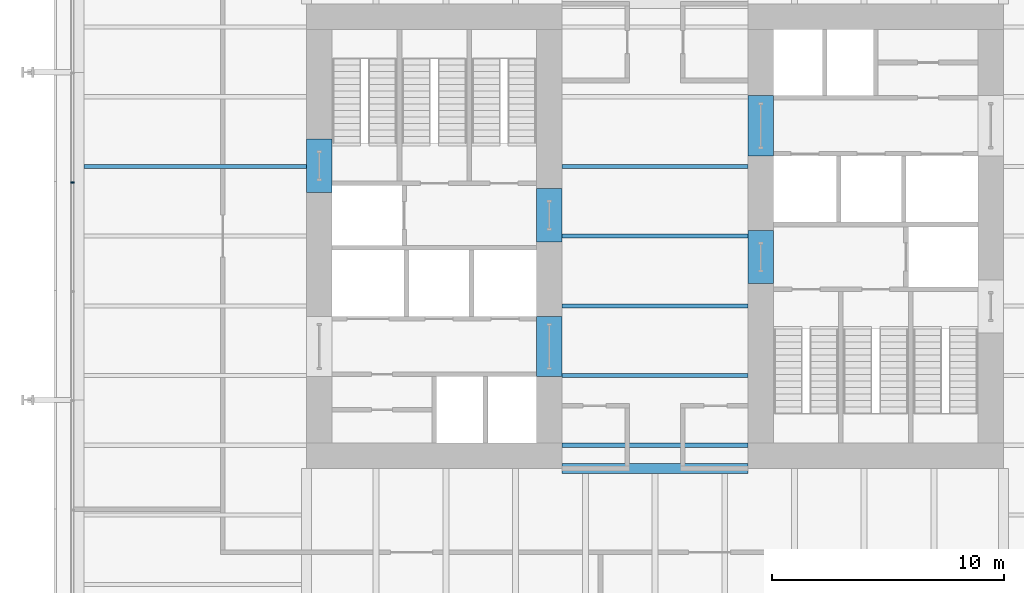
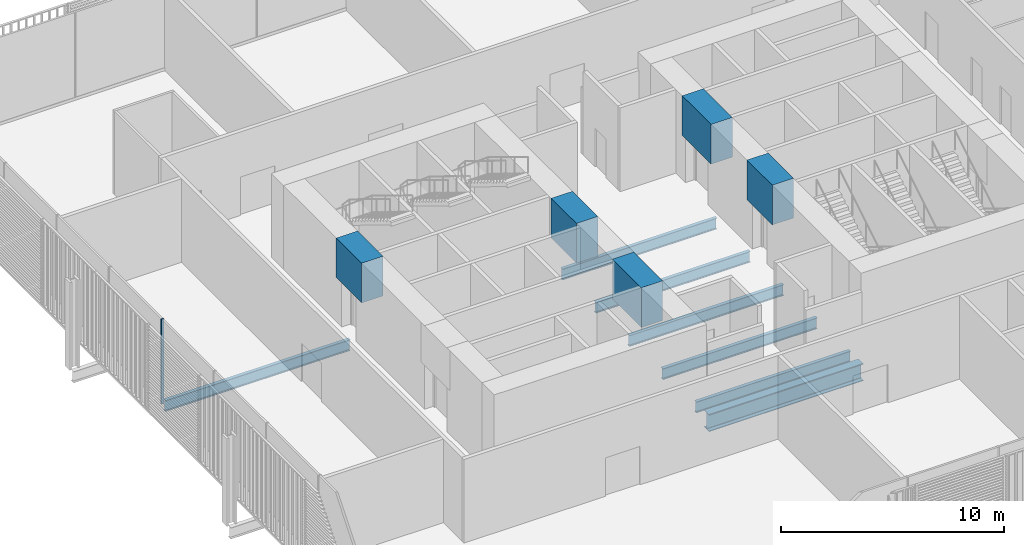
# One storey, part 7 of 22: 12 beams, 1 member, 1 element without a shape of its own.
"""IFC4 building model written with IfcOpenShell, lengths in metres."""

from ifc_helpers import new_model, si_unit, direction, frame, origin, origin_2d, place, context, subcontext, project, spatial, rectangle, i_section, extrude, material, layer, layer_set, material_profile, profile_set, type_object, element, aggregate, save


model = new_model("IFC4")

# Units and contexts
model_context = context("Model", 3, precision=1e-05, world=origin(), true_north=direction((0.0, 1.0)))
body_context = subcontext(model_context, "Body", "Model", "MODEL_VIEW")
ifc_project = project(units=[si_unit("LENGTHUNIT", "METRE"), si_unit("AREAUNIT", "SQUARE_METRE"), si_unit("VOLUMEUNIT", "CUBIC_METRE"), si_unit("PLANEANGLEUNIT", "RADIAN"), si_unit("MASSUNIT", "GRAM", prefix="KILO")], contexts=[model_context])

# Site, building, storey
site_placement = place(None, origin())
site = spatial("IfcSite", under=ifc_project, at=site_placement, CompositionType="ELEMENT")
building_placement = place(site_placement, origin())
building = spatial("IfcBuilding", under=site, at=building_placement, Name="Millrace Tower", CompositionType="ELEMENT")
storey_placement = place(building_placement, frame((0.0, 0.0, 40.10009765625)))
storey = spatial("IfcBuildingStorey", under=building, at=storey_placement, Name="L09", CompositionType="ELEMENT", Elevation=40.10009765625)

# Curtain wall, member
ifc_material_1 = material(Name="Aluminium and glass", Category="aluminium")
ifc_layer = layer(ifc_material_1, 0.14990234375)
ifc_layer_set = layer_set([ifc_layer], Name="Aluminium and glass")
curtain_wall_type = type_object("IfcCurtainWallType", Name="CW-2 data hall insulated curtain wall", PredefinedType="NOTDEFINED", material=ifc_layer_set)
curtain_wall_placement = place(storey_placement, origin())
curtain_wall = element("IfcCurtainWall", 1, at=curtain_wall_placement, inside=storey, type_object=curtain_wall_type, Name="Curtain wall A-F08 L09", PredefinedType="NOTDEFINED")
ifc_material_2 = material(Name="Aluminium", Category="aluminium")
ifc_material_profile_1 = material_profile(ifc_material_2, rectangle(XDim=0.06494140625, YDim=0.14990234375, at=origin_2d()))
ifc_profile_set_1 = profile_set([ifc_material_profile_1], Name="Aluminium")
member_type = type_object("IfcMemberType", Name="CW-2 data hall insulated curtain wall mullion", PredefinedType="MULLION", material=ifc_profile_set_1)
member_placement = place(storey_placement, frame((-25.074951171875, 2.3173828125, 0.159912109375), z_axis=(0.0, 0.0, 1.0), x_axis=(0.0, -1.0, 0.0)))
member = element("IfcMember", 2, at=member_placement, type_object=member_type, Name="CW2 mullion A-F08.5", PredefinedType="MULLION", context=body_context, shape_type="SweptSolid", body=[
    extrude(rectangle(XDim=0.06494140625, YDim=0.14990234375, at=origin_2d()), origin(), (0.0, 0.0, 1.0), 4.639892578125),
])
aggregate(curtain_wall, [member])

# Beams
ifc_material_3 = material(Name="Concrete C80", Category="concrete")
ifc_material_profile_2 = material_profile(ifc_material_3, rectangle(XDim=1.10009765625, YDim=2.175048828125, at=origin_2d()))
ifc_profile_set_2 = profile_set([ifc_material_profile_2], Name="Concrete C80")
beam_type_1 = type_object("IfcBeamType", Name="Coupling beam 1100 x 2175 Concrete C80, 1300 opening", PredefinedType="BEAM", material=ifc_profile_set_2)
beam_1_placement = place(storey_placement, frame((-14.449951171875, 1.88818359375, 3.4873046875), z_axis=(0.0, 1.0, 0.0), x_axis=(-1.0, 0.0, 0.0)))
element("IfcBeam", 3, at=beam_1_placement, inside=storey, type_object=beam_type_1, Name="Coupling beam W L09", PredefinedType="BEAM", context=body_context, shape_type="SweptSolid", body=[
    extrude(rectangle(XDim=1.10009765625, YDim=2.175048828125, at=origin_2d()), origin(), (0.0, 0.0, 1.0), 2.28369140625),
])
for number, where, z_axis, x_axis, name in (
    (4, (-4.550048828125, -0.241943359375, 3.4873046875), (0.0, 1.0, 0.0), (-1.0, 0.0, 0.0), "Coupling beam W L09"),
    (5, (4.550048828125, 0.241943359375, 3.4873046875), (0.0, -1.0, 0.0), (1.0, 0.0, 0.0), "Coupling beam E L09"),
):
    element("IfcBeam", number, at=place(storey_placement, frame(where, z_axis=z_axis, x_axis=x_axis)), inside=storey, type_object=beam_type_1, Name=name, PredefinedType="BEAM", context=body_context, shape_type="SweptSolid", body=[
        extrude(rectangle(XDim=1.10009765625, YDim=2.175048828125, at=origin_2d()), origin(), (0.0, 0.0, 1.0), 2.283935546875),
    ])
ifc_material_4 = material(Name="Concrete C80", Category="concrete")
ifc_material_profile_3 = material_profile(ifc_material_4, rectangle(XDim=1.10009765625, YDim=2.175048828125, at=origin_2d()))
ifc_profile_set_3 = profile_set([ifc_material_profile_3], Name="Concrete C80")
beam_type_2 = type_object("IfcBeamType", Name="Coupling beam 1100 x 2175 Concrete C80, 2000 opening", PredefinedType="BEAM", material=ifc_profile_set_3)
for number, where, z_axis, x_axis, name in (
    (6, (-4.550048828125, -6.050048828125, 3.4873046875), (0.0, 1.0, 0.0), (-1.0, 0.0, 0.0), "Coupling beam W L09"),
    (7, (4.550048828125, 6.050048828125, 3.4873046875), (0.0, -1.0, 0.0), (1.0, 0.0, 0.0), "Coupling beam E L09"),
):
    element("IfcBeam", number, at=place(storey_placement, frame(where, z_axis=z_axis, x_axis=x_axis)), inside=storey, type_object=beam_type_2, Name=name, PredefinedType="BEAM", context=body_context, shape_type="SweptSolid", body=[
        extrude(rectangle(XDim=1.10009765625, YDim=2.175048828125, at=origin_2d()), origin(), (0.0, 0.0, 1.0), 2.60009765625),
    ])
ifc_material_5 = material(Name="Steel ASTM A992 Grade 50", Category="steel")
ifc_material_profile_4 = material_profile(ifc_material_5, i_section(OverallWidth=0.177978515625, OverallDepth=0.599365234375, WebThickness=0.010009765625, FlangeThickness=0.012939453125, FilletRadius=0.012939453125, at=origin_2d()))
ifc_profile_set_4 = profile_set([ifc_material_profile_4], Name="Steel ASTM A992 Grade 50")
beam_type_3 = type_object("IfcBeamType", Name="Floor beam W24x55", PredefinedType="JOIST", material=ifc_profile_set_4)
for number, where, z_axis, x_axis, name in (
    (8, (-4.0, -9.0, -0.52490234375), (1.0, 0.0, 0.0), (0.0, 1.0, 0.0), "BM-A-L09-S1-S011"),
    (9, (-4.0, -6.0, -0.52490234375), (1.0, 0.0, 0.0), (0.0, 1.0, 0.0), "BM-A-L09-S1-S014"),
    (10, (-4.0, -3.0, -0.52490234375), (1.0, 0.0, 0.0), (0.0, 1.0, 0.0), "BM-A-L09-S1-S017"),
    (11, (-4.0, 0.0, -0.52490234375), (1.0, 0.0, 0.0), (0.0, 1.0, 0.0), "BM-A-L09-S1-S020"),
    (12, (-4.0, 3.0, -0.52490234375), (1.0, 0.0, 0.0), (0.0, 1.0, 0.0), "BM-A-L09-S1-S023"),
):
    element("IfcBeam", number, at=place(storey_placement, frame(where, z_axis=z_axis, x_axis=x_axis)), inside=storey, type_object=beam_type_3, Name=name, PredefinedType="JOIST", context=body_context, shape_type="SweptSolid", body=[
        extrude(i_section(OverallWidth=0.177978515625, OverallDepth=0.599365234375, WebThickness=0.010009765625, FlangeThickness=0.012939453125, FilletRadius=0.012939453125, at=origin_2d()), origin(), (0.0, 0.0, 1.0), 8.0),
    ])
ifc_material_6 = material(Name="Steel ASTM A992 Grade 50", Category="steel")
ifc_material_profile_5 = material_profile(ifc_material_6, i_section(OverallWidth=0.1787109375, OverallDepth=0.60205078125, WebThickness=0.010986328125, FlangeThickness=0.014892578125, FilletRadius=0.0126953125, at=origin_2d()))
ifc_profile_set_5 = profile_set([ifc_material_profile_5], Name="Steel ASTM A992 Grade 50")
beam_type_4 = type_object("IfcBeamType", Name="Floor beam W24x62", PredefinedType="JOIST", material=ifc_profile_set_5)
beam_2_placement = place(storey_placement, frame((-24.578369140625, 3.0, -0.526123046875), z_axis=(1.0, 0.0, 0.0), x_axis=(0.0, 1.0, 0.0)))
element("IfcBeam", 13, at=beam_2_placement, inside=storey, type_object=beam_type_4, Name="BM-A-L09-S1-S024", PredefinedType="JOIST", context=body_context, shape_type="SweptSolid", body=[
    extrude(i_section(OverallWidth=0.1787109375, OverallDepth=0.60205078125, WebThickness=0.010986328125, FlangeThickness=0.014892578125, FilletRadius=0.0126953125, at=origin_2d()), origin(), (0.0, 0.0, 1.0), 9.578369140625),
])
ifc_material_7 = material(Name="Steel ASTM A992 Grade 50", Category="steel")
ifc_material_profile_6 = material_profile(ifc_material_7, i_section(OverallWidth=0.424072265625, OverallDepth=0.947509765625, WebThickness=0.02392578125, FlangeThickness=0.042724609375, FilletRadius=0.024169921875, at=origin_2d()))
ifc_profile_set_6 = profile_set([ifc_material_profile_6], Name="Steel ASTM A992 Grade 50")
beam_type_5 = type_object("IfcBeamType", Name="Girder short span W36x302", PredefinedType="BEAM", material=ifc_profile_set_6)
beam_3_placement = place(storey_placement, frame((-4.0, -10.0, -0.69873046875), z_axis=(1.0, 0.0, 0.0), x_axis=(0.0, 1.0, 0.0)))
element("IfcBeam", 14, at=beam_3_placement, inside=storey, type_object=beam_type_5, Name="BM-A-L09-S1-G065", PredefinedType="BEAM", context=body_context, shape_type="SweptSolid", body=[
    extrude(i_section(OverallWidth=0.424072265625, OverallDepth=0.947509765625, WebThickness=0.02392578125, FlangeThickness=0.042724609375, FilletRadius=0.024169921875, at=origin_2d()), origin(), (0.0, 0.0, 1.0), 8.0),
])

save(model, "model.ifc")
